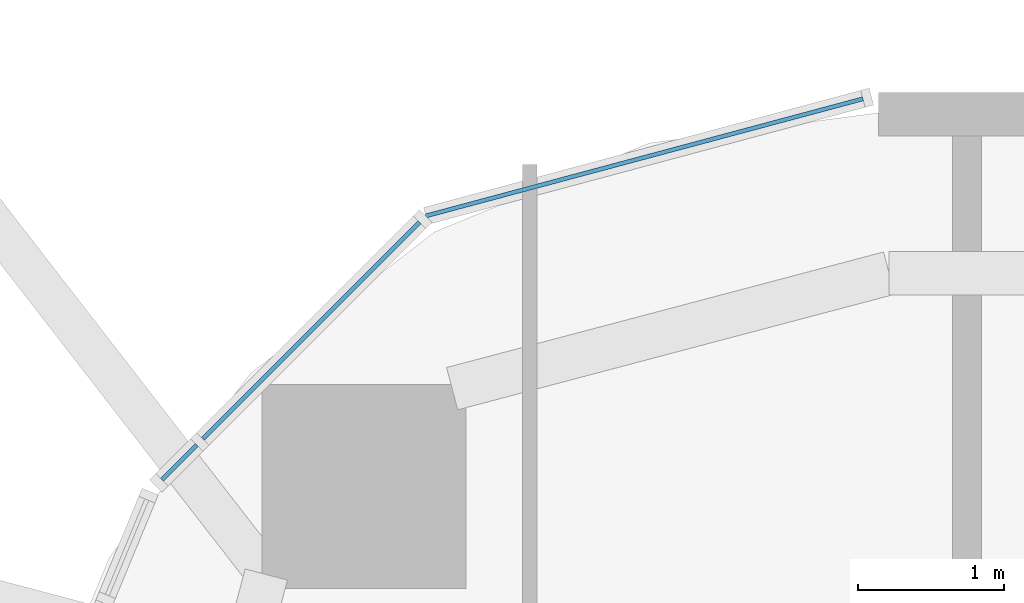
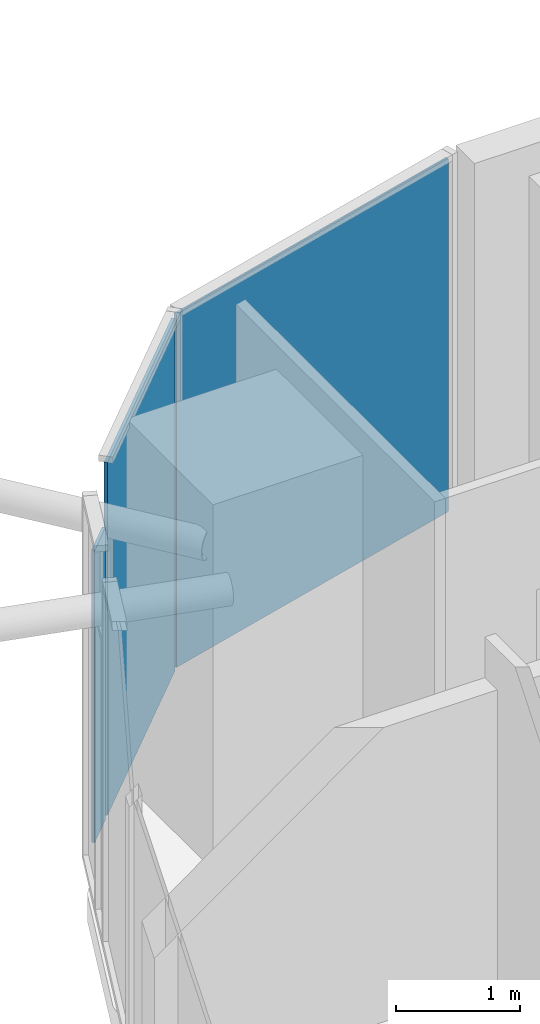
# One storey, part 22 of 33: 3 plates, 3 elements without a shape of their own.
"""IFC4 building model written with IfcOpenShell, lengths in metres."""

from ifc_helpers import new_model, si_unit, direction, frame, origin, origin_2d, place, context, subcontext, project, spatial, rectangle, extrude, material, layer, layer_set, type_object, element, aggregate, save


model = new_model("IFC4")

# Units and contexts
model_context = context("Model", 3, precision=1e-05, world=origin(), true_north=direction((0.0, 1.0)))
body_context = subcontext(model_context, "Body", "Model", "MODEL_VIEW")
ifc_project = project(units=[si_unit("LENGTHUNIT", "METRE"), si_unit("AREAUNIT", "SQUARE_METRE"), si_unit("VOLUMEUNIT", "CUBIC_METRE"), si_unit("PLANEANGLEUNIT", "RADIAN"), si_unit("MASSUNIT", "GRAM", prefix="KILO")], contexts=[model_context])

# Site, building, storey
site_placement = place(None, origin())
site = spatial("IfcSite", under=ifc_project, at=site_placement, CompositionType="ELEMENT")
building_placement = place(site_placement, origin())
building = spatial("IfcBuilding", under=site, at=building_placement, Name="Marenta Gate Hotel Tower", CompositionType="ELEMENT")
storey_placement = place(building_placement, frame((0.0, 0.0, 248.89990234375)))
storey = spatial("IfcBuildingStorey", under=building, at=storey_placement, Name="L59", CompositionType="ELEMENT", Elevation=248.89990234375)

# Curtain wall, plate
ifc_material_1 = material(Name="Tinted insulated glass in bronze anodised frame", Category="glass")
ifc_layer_1 = layer(ifc_material_1, 0.1201171875)
ifc_layer_set_1 = layer_set([ifc_layer_1], Name="Tinted insulated glass in bronze anodised frame")
curtain_wall_type = type_object("IfcCurtainWallType", Name="Tower unitised curtain wall CW1", PredefinedType="NOTDEFINED", material=ifc_layer_set_1)
curtain_wall_1_placement = place(storey_placement, origin())
curtain_wall_1 = element("IfcCurtainWall", 1, at=curtain_wall_1_placement, inside=storey, type_object=curtain_wall_type, Name="CW1 run G00", PredefinedType="NOTDEFINED")
ifc_material_2 = material(Name="Tinted insulated glass", Category="glass")
ifc_layer_2 = layer(ifc_material_2, 0.028076171875)
ifc_layer_set_2 = layer_set([ifc_layer_2], Name="Tinted insulated glass")
plate_type = type_object("IfcPlateType", Name="Glass panel CW1 28 mm tinted insulated unit", PredefinedType="CURTAIN_PANEL", material=ifc_layer_set_2)
plate_1_placement = place(storey_placement, frame((-20.813720703125, 22.19384765625, 0.06005859375), z_axis=(0.0, 0.0, 1.0), x_axis=(-0.965930559685, -0.258801379183, 0.0)))
plate_1 = element("IfcPlate", 2, at=plate_1_placement, type_object=plate_type, Name="CW1 panel 1.1", PredefinedType="CURTAIN_PANEL", context=body_context, shape_type="SweptSolid", body=[
    extrude(rectangle(XDim=3.104248046875, YDim=0.028076171875, at=origin_2d()), origin(), (0.0, 0.0, 1.0), 3.47998046875),
])
aggregate(curtain_wall_1, [plate_1])

curtain_wall_2_placement = place(storey_placement, origin())
curtain_wall_2 = element("IfcCurtainWall", 3, at=curtain_wall_2_placement, inside=storey, type_object=curtain_wall_type, Name="CW1 run G01", PredefinedType="NOTDEFINED")
plate_2_placement = place(storey_placement, frame((-23.0986328125, 21.00634765625, 0.06005859375), z_axis=(0.0, 0.0, 1.0), x_axis=(-0.707106781187, -0.707106781187, 0.0)))
plate_2 = element("IfcPlate", 4, at=plate_2_placement, type_object=plate_type, Name="CW1 panel 1.1", PredefinedType="CURTAIN_PANEL", context=body_context, shape_type="SweptSolid", body=[
    extrude(rectangle(XDim=2.1025390625, YDim=0.028076171875, at=origin_2d()), origin(), (0.0, 0.0, 1.0), 3.47998046875),
])
aggregate(curtain_wall_2, [plate_2])

curtain_wall_3_placement = place(storey_placement, origin())
curtain_wall_3 = element("IfcCurtainWall", 5, at=curtain_wall_3_placement, inside=storey, type_object=curtain_wall_type, Name="CW1 run G02", PredefinedType="NOTDEFINED")
plate_3_placement = place(storey_placement, frame((-24.00341796875, 20.1015625, 0.06005859375), z_axis=(0.0, 0.0, 1.0), x_axis=(-0.707106781187, -0.707106781187, 0.0)))
plate_3 = element("IfcPlate", 6, at=plate_3_placement, type_object=plate_type, Name="CW1 panel 1.1", PredefinedType="CURTAIN_PANEL", context=body_context, shape_type="SweptSolid", body=[
    extrude(rectangle(XDim=0.33642578125, YDim=0.028076171875, at=origin_2d()), origin(), (0.0, 0.0, 1.0), 2.880615234375),
])
aggregate(curtain_wall_3, [plate_3])

save(model, "model.ifc")
